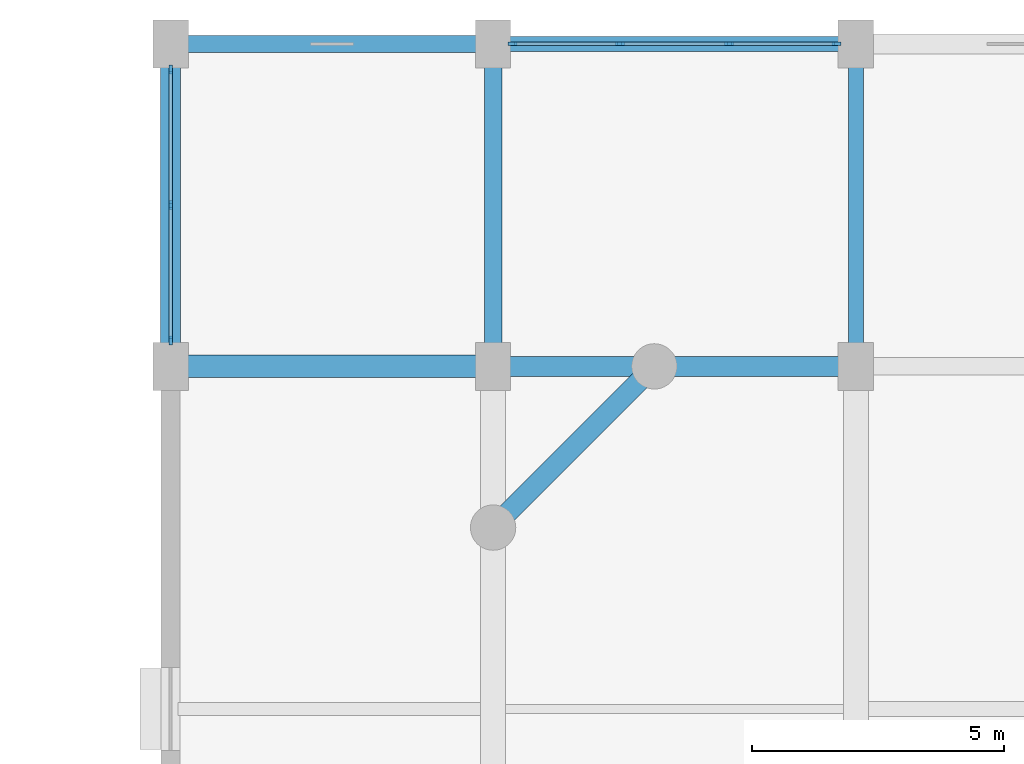
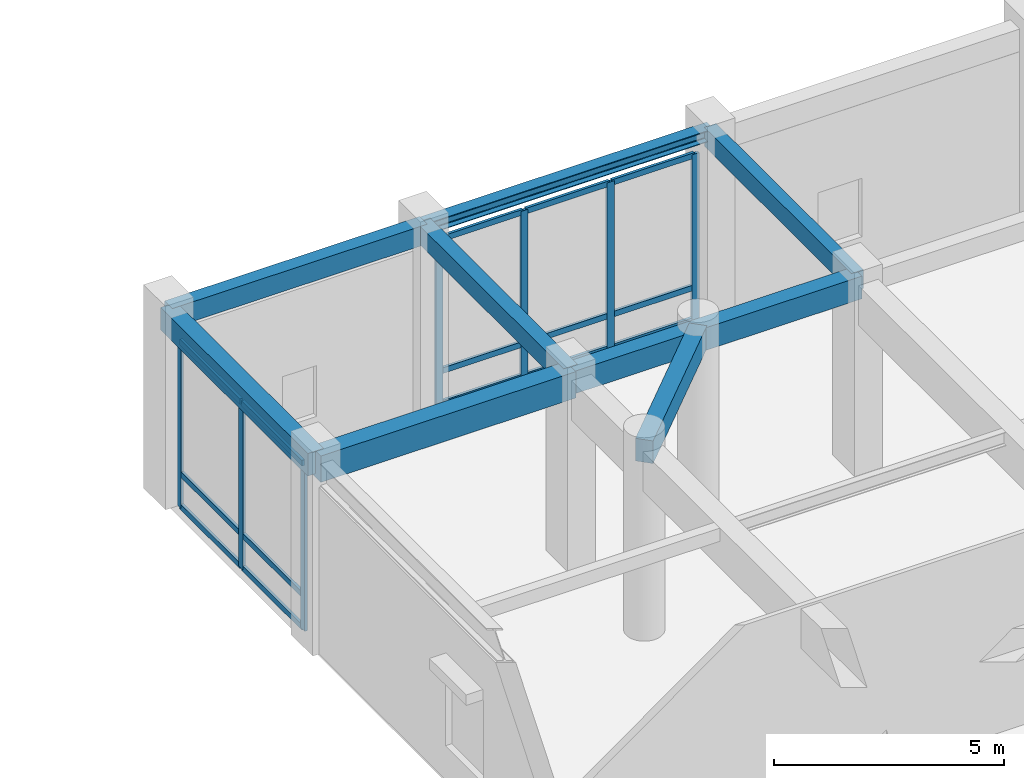
# One storey, part 12 of 36: 22 members, 8 beams, 2 elements without a shape of their own.
"""IFC4 building model written with IfcOpenShell, lengths in metres."""

import ifcopenshell
import ifcopenshell.guid

model = None  # the IFC model being written
_history = None  # IfcOwnerHistory: only IFC2X3 demands one
_inside = {}  # id of a spatial element -> (the spatial element, [elements in it])
_under = {}  # id of a project, library or spatial element -> (it, [spatial elements below it])
_declared = {}  # id of a project -> (the project, [libraries it declares])
_typed = {}  # id of a type object -> (the type object, [elements of that type])
_made_of = {}  # id of a material, layer set ... -> (it, [elements and type objects made of it])


def new_model(schema):
    """Start an empty IFC model of exactly this schema.

    Asked for "IFC4X3", IfcOpenShell would pick the latest addendum, in which some entities
    have other attributes; the version numbers below select the first issue.
    IFC2X3 requires an IfcOwnerHistory on every rooted entity: one is made here for all.
    """
    global model, _history
    if schema == "IFC4X3":
        model = ifcopenshell.file(schema_version=(4, 3, 0, 0))
    else:
        model = ifcopenshell.file(schema=schema)
    _inside.clear()
    _under.clear()
    _declared.clear()
    _typed.clear()
    _made_of.clear()
    _history = None
    if model.schema == "IFC2X3":
        org = make("IfcOrganization", Name="unknown")
        user = make(
            "IfcPersonAndOrganization",
            ThePerson=make("IfcPerson", FamilyName="unknown"),
            TheOrganization=org,
        )
        app = make(
            "IfcApplication",
            ApplicationDeveloper=org,
            Version="unknown",
            ApplicationFullName="unknown",
            ApplicationIdentifier="unknown",
        )
        _history = make(
            "IfcOwnerHistory",
            OwningUser=user,
            OwningApplication=app,
            ChangeAction="ADDED",
            CreationDate=0,
        )
    return model


def make(cls, **values):
    """One entity of the class cls with the attributes given. An attribute that is None is left unset."""
    return model.create_entity(
        cls, **{name: value for name, value in values.items() if value is not None}
    )


def rooted(cls, **values):
    """An entity with a GlobalId (a new one), such as an element, a storey or a relation."""
    return make(cls, GlobalId=ifcopenshell.guid.new(), OwnerHistory=_history, **values)


def si_unit(unit_type, name, prefix=None):
    """IfcSIUnit, for example si_unit("LENGTHUNIT", "METRE", prefix="MILLI")."""
    return make("IfcSIUnit", UnitType=unit_type, Prefix=prefix, Name=name)


def assignment(units):
    """IfcUnitAssignment: the units of a project."""
    return None if units is None else make("IfcUnitAssignment", Units=units)


def point(xyz):
    """IfcCartesianPoint."""
    return None if xyz is None else make("IfcCartesianPoint", Coordinates=xyz)


def direction(xyz):
    """IfcDirection."""
    return None if xyz is None else make("IfcDirection", DirectionRatios=xyz)


def frame(location, z_axis=None, x_axis=None):
    """IfcAxis2Placement3D, a coordinate frame: its origin and axes. An axis left out is left unset."""
    return make(
        "IfcAxis2Placement3D",
        Location=point(location),
        Axis=direction(z_axis),
        RefDirection=direction(x_axis),
    )


def frame_2d(location, x_axis=None):
    """IfcAxis2Placement2D, a coordinate frame in the plane: its origin and x axis."""
    return make(
        "IfcAxis2Placement2D", Location=point(location), RefDirection=direction(x_axis)
    )


def origin():
    """The frame at (0, 0, 0) with its axes left unset."""
    return frame((0.0, 0.0, 0.0))


def origin_2d():
    """The frame at (0, 0) in the plane with its x axis left unset."""
    return frame_2d((0.0, 0.0))


def place(relative_to, where):
    """IfcLocalPlacement: puts the frame where relative to a parent placement (None: the world)."""
    return make(
        "IfcLocalPlacement", PlacementRelTo=relative_to, RelativePlacement=where
    )


def context(
    kind, dimensions, precision=None, world=None, true_north=None, identifier=None
):
    """IfcGeometricRepresentationContext, for example the 3D "Model" context."""
    return make(
        "IfcGeometricRepresentationContext",
        ContextIdentifier=identifier,
        ContextType=kind,
        CoordinateSpaceDimension=dimensions,
        Precision=precision,
        WorldCoordinateSystem=world,
        TrueNorth=true_north,
    )


def subcontext(parent, identifier, kind, view, scale=None):
    """IfcGeometricRepresentationSubContext, for example "Body" below "Model"."""
    return make(
        "IfcGeometricRepresentationSubContext",
        ContextIdentifier=identifier,
        ContextType=kind,
        ParentContext=parent,
        TargetScale=scale,
        TargetView=view,
    )


def project(units=None, contexts=None):
    """IfcProject with its units and contexts."""
    return rooted(
        "IfcProject",
        Name="project",
        RepresentationContexts=contexts,
        UnitsInContext=assignment(units),
    )


def spatial(cls, under=None, at=None, **own):
    """A site, building, storey or space (cls), placed at a placement, below another one or the project."""
    s = rooted(cls, ObjectPlacement=at, **own)
    if under is not None:
        _under.setdefault(under.id(), (under, []))[1].append(s)
    return s


def profile(cls, at=None, kind="AREA", **sizes):
    """A parametric profile (cls). Its sizes go by their IFC names, for example OverallWidth=200.0."""
    return make(cls, ProfileType=kind, Position=at, **sizes)


def rectangle(**sizes):
    """IfcRectangleProfileDef."""
    return profile("IfcRectangleProfileDef", **sizes)


def i_section(**sizes):
    """IfcIShapeProfileDef."""
    return profile("IfcIShapeProfileDef", **sizes)


def extrude(swept, where, along, depth):
    """IfcExtrudedAreaSolid: the profile swept, set in the frame where, extruded along a direction by depth."""
    return make(
        "IfcExtrudedAreaSolid",
        SweptArea=swept,
        Position=where,
        ExtrudedDirection=direction(along),
        Depth=depth,
    )


def shape(context_of_items, identifier, shape_type, items):
    """IfcShapeRepresentation: the items that make up one representation, for example the "Body"."""
    return make(
        "IfcShapeRepresentation",
        ContextOfItems=context_of_items,
        RepresentationIdentifier=identifier,
        RepresentationType=shape_type,
        Items=items,
    )


def material(Name=None, Category=None):
    """IfcMaterial."""
    return make("IfcMaterial", Name=Name, Category=Category)


def material_profile(
    of_material, cross_section, Name=None, Category=None, Priority=None
):
    """IfcMaterialProfile: a cross section and its material."""
    return make(
        "IfcMaterialProfile",
        Name=Name,
        Material=of_material,
        Profile=cross_section,
        Priority=Priority,
        Category=Category,
    )


def profile_set(profiles, Name=None, composite=None):
    """IfcMaterialProfileSet."""
    return make(
        "IfcMaterialProfileSet",
        Name=Name,
        MaterialProfiles=profiles,
        CompositeProfile=composite,
    )


def made_of(thing, what):
    """Note that an element or type object is made of a material, layer set ...; save() writes the relation."""
    if what is not None:
        _made_of.setdefault(what.id(), (what, []))[1].append(thing)
    return thing


def type_object(cls, material=None, **own):
    """A type object (cls), such as IfcWallType, which elements share."""
    return made_of(rooted(cls, **own), material)


def element(
    cls,
    number,
    at=None,
    inside=None,
    cuts=None,
    type_object=None,
    material=None,
    context=None,
    identifier="Body",
    shape_type=None,
    held_by="IfcProductDefinitionShape",
    body=None,
    shapes=None,
    **own,
):
    """One element of the class cls, such as IfcWall. Its Tag is "e" and its number.

    at: its placement. inside: the storey or other place that contains it. cuts: it is an
    opening in that element (IfcRelVoidsElement). A single representation is given by context,
    identifier, shape_type and body (its items); several are given by shapes. held_by: the class
    of the entity that holds the representations. save() writes the other relations.
    """
    e = rooted(cls, Tag="e%d" % number, ObjectPlacement=at, **own)
    if body is not None:
        shapes = [shape(context, identifier, shape_type, body)]
    if shapes is not None:
        e.Representation = make(held_by, Representations=shapes)
    if inside is not None:
        _inside.setdefault(inside.id(), (inside, []))[1].append(e)
    if cuts is not None:
        rooted(
            "IfcRelVoidsElement", RelatingBuildingElement=cuts, RelatedOpeningElement=e
        )
    if type_object is not None:
        _typed.setdefault(type_object.id(), (type_object, []))[1].append(e)
    return made_of(e, material)


def aggregate(whole, parts):
    """IfcRelAggregates: a whole, such as a stair, and the parts it consists of."""
    return rooted("IfcRelAggregates", RelatingObject=whole, RelatedObjects=parts)


def save(model, path):
    """Write the relations noted so far, then the file.

    IfcRelAggregates (storeys below a building ...), IfcRelContainedInSpatialStructure (elements
    in a storey), IfcRelDefinesByType, IfcRelAssociatesMaterial and IfcRelDeclares: one each for
    every whole, place, type object, material and project.
    """
    for whole, parts in _under.values():
        aggregate(whole, parts)
    for where, things in _inside.values():
        rooted(
            "IfcRelContainedInSpatialStructure",
            RelatedElements=things,
            RelatingStructure=where,
        )
    for kind, things in _typed.values():
        rooted("IfcRelDefinesByType", RelatedObjects=things, RelatingType=kind)
    for what, things in _made_of.values():
        rooted("IfcRelAssociatesMaterial", RelatedObjects=things, RelatingMaterial=what)
    for by, libraries in _declared.values():
        rooted("IfcRelDeclares", RelatingContext=by, RelatedDefinitions=libraries)
    model.write(path)


model = new_model("IFC4")

# Units and contexts
model_context = context("Model", 3, precision=1e-05, world=origin(), true_north=direction((0.0, 1.0)))
body_context = subcontext(model_context, "Body", "Model", "MODEL_VIEW")
ifc_project = project(units=[si_unit("LENGTHUNIT", "METRE"), si_unit("AREAUNIT", "SQUARE_METRE"), si_unit("VOLUMEUNIT", "CUBIC_METRE"), si_unit("PLANEANGLEUNIT", "RADIAN"), si_unit("MASSUNIT", "GRAM", prefix="KILO")], contexts=[model_context])

# Site, building, storey
site_placement = place(None, origin())
site = spatial("IfcSite", under=ifc_project, at=site_placement, CompositionType="ELEMENT")
building_placement = place(site_placement, origin())
building = spatial("IfcBuilding", under=site, at=building_placement, Name="Vellmiral Cinema and Media Centre", CompositionType="ELEMENT")
storey_placement = place(building_placement, frame((0.0, 0.0, 5.39990234375)))
storey = spatial("IfcBuildingStorey", under=building, at=storey_placement, Name="L01", CompositionType="ELEMENT", Elevation=5.39990234375)

# Beams
ifc_material_1 = material(Name="Concrete C40/50", Category="concrete")
ifc_material_profile_1 = material_profile(ifc_material_1, rectangle(XDim=0.300048828125, YDim=0.5, at=origin_2d()), Name="RC 300x500")
ifc_profile_set_1 = profile_set([ifc_material_profile_1], Name="Concrete C40/50")
beam_type_1 = type_object("IfcBeamType", Name="BM-RC-300x500", PredefinedType="BEAM", material=ifc_profile_set_1)
beam_1_placement = place(storey_placement, frame((124.0, 108.800048828125, 4.78515625), z_axis=(0.0, 1.0, 0.0), x_axis=(-1.0, 0.0, 0.0)))
element("IfcBeam", 1, at=beam_1_placement, inside=storey, type_object=beam_type_1, Name="Grid Beam L01-Y303", PredefinedType="BEAM", context=body_context, shape_type="SweptSolid", body=[
    extrude(rectangle(XDim=0.300048828125, YDim=0.5, at=origin_2d()), origin(), (0.0, 0.0, 1.0), 6.39990234375),
])
ifc_material_2 = material(Name="Concrete C40/50", Category="concrete")
ifc_material_profile_2 = material_profile(ifc_material_2, rectangle(XDim=0.35009765625, YDim=0.5, at=origin_2d()), Name="RC 350x500")
ifc_profile_set_2 = profile_set([ifc_material_profile_2], Name="Concrete C40/50")
beam_type_2 = type_object("IfcBeamType", Name="BM-RC-350x500", PredefinedType="BEAM", material=ifc_profile_set_2)
beam_2_placement = place(storey_placement, frame((116.800048828125, 108.800048828125, 4.78515625), z_axis=(0.0, 1.0, 0.0), x_axis=(-1.0, 0.0, 0.0)))
element("IfcBeam", 2, at=beam_2_placement, inside=storey, type_object=beam_type_2, Name="Grid Beam L01-Y291", PredefinedType="BEAM", context=body_context, shape_type="SweptSolid", body=[
    extrude(rectangle(XDim=0.35009765625, YDim=0.5, at=origin_2d()), origin(), (0.0, 0.0, 1.0), 6.39990234375),
])
ifc_material_3 = material(Name="Concrete C40/50", Category="concrete")
ifc_material_profile_3 = material_profile(ifc_material_3, rectangle(XDim=0.39990234375, YDim=0.60009765625, at=origin_2d()), Name="RC 400x600")
ifc_profile_set_3 = profile_set([ifc_material_profile_3], Name="Concrete C40/50")
beam_type_3 = type_object("IfcBeamType", Name="BM-RC-400x600", PredefinedType="BEAM", material=ifc_profile_set_3)
beam_3_placement = place(storey_placement, frame((116.800048828125, 108.800048828125, 4.735107421875), z_axis=(1.0, 0.0, 0.0), x_axis=(0.0, 1.0, 0.0)))
element("IfcBeam", 3, at=beam_3_placement, inside=storey, type_object=beam_type_3, Name="Grid Beam L01-X166", PredefinedType="BEAM", context=body_context, shape_type="SweptSolid", body=[
    extrude(rectangle(XDim=0.39990234375, YDim=0.60009765625, at=origin_2d()), origin(), (0.0, 0.0, 1.0), 7.199951171875),
])
ifc_material_4 = material(Name="Concrete C40/50", Category="concrete")
ifc_material_profile_4 = material_profile(ifc_material_4, rectangle(XDim=0.449951171875, YDim=0.699951171875, at=origin_2d()), Name="RC 450x700")
ifc_profile_set_4 = profile_set([ifc_material_profile_4], Name="Concrete C40/50")
beam_type_4 = type_object("IfcBeamType", Name="BM-RC-450x700", PredefinedType="BEAM", material=ifc_profile_set_4)
beam_4_placement = place(storey_placement, frame((110.39990234375, 108.800048828125, 4.68505859375), z_axis=(1.0, 0.0, 0.0), x_axis=(0.0, 1.0, 0.0)))
element("IfcBeam", 4, at=beam_4_placement, inside=storey, type_object=beam_type_4, Name="Grid Beam L01-X165", PredefinedType="BEAM", context=body_context, shape_type="SweptSolid", body=[
    extrude(rectangle(XDim=0.449951171875, YDim=0.699951171875, at=origin_2d()), origin(), (0.0, 0.0, 1.0), 6.400146484375),
])

# Curtain wall, members
ifc_material_5 = material(Name="Thermally Broken Aluminium and Triple Glazing", Category="aluminium")
curtain_wall_type = type_object("IfcCurtainWallType", Name="CW-LIB-BAY", PredefinedType="USERDEFINED", material=ifc_material_5)
curtain_wall_1_placement = place(storey_placement, origin())
curtain_wall_1 = element("IfcCurtainWall", 5, at=curtain_wall_1_placement, inside=storey, type_object=curtain_wall_type, Name="Curtain Wall L01-B050", ObjectType="STICK CURTAIN WALL", PredefinedType="USERDEFINED")
ifc_material_6 = material(Name="Thermally Broken Anodised Aluminium", Category="aluminium")
ifc_material_profile_5 = material_profile(ifc_material_6, rectangle(XDim=0.070068359375, YDim=0.179931640625, at=origin_2d()), Name="MULL 70x180")
ifc_profile_set_5 = profile_set([ifc_material_profile_5], Name="Thermally Broken Anodised Aluminium")
member_type_1 = type_object("IfcMemberType", Name="CWM-70x180", PredefinedType="MULLION", material=ifc_profile_set_5)
member_1_placement = place(storey_placement, frame((123.614990234375, 115.199951171875, 0.0), z_axis=(0.0, 0.0, 1.0), x_axis=(0.0, -1.0, 0.0)))
member_1 = element("IfcMember", 6, at=member_1_placement, type_object=member_type_1, Name="CW-03 mullion 1", PredefinedType="MULLION", context=body_context, shape_type="SweptSolid", body=[
    extrude(rectangle(XDim=0.070068359375, YDim=0.179931640625, at=origin_2d()), origin(), (0.0, 0.0, 1.0), 4.440185546875),
])
member_2_placement = place(storey_placement, frame((121.4833984375, 115.199951171875, 0.0), z_axis=(0.0, 0.0, 1.0), x_axis=(0.0, -1.0, 0.0)))
member_2 = element("IfcMember", 7, at=member_2_placement, type_object=member_type_1, Name="CW-03 mullion 2", PredefinedType="MULLION", context=body_context, shape_type="SweptSolid", body=[
    extrude(rectangle(XDim=0.070068359375, YDim=0.179931640625, at=origin_2d()), origin(), (0.0, 0.0, 1.0), 4.440185546875),
])
member_3_placement = place(storey_placement, frame((119.316650390625, 115.199951171875, 0.0), z_axis=(0.0, 0.0, 1.0), x_axis=(0.0, -1.0, 0.0)))
member_3 = element("IfcMember", 8, at=member_3_placement, type_object=member_type_1, Name="CW-03 mullion 3", PredefinedType="MULLION", context=body_context, shape_type="SweptSolid", body=[
    extrude(rectangle(XDim=0.070068359375, YDim=0.179931640625, at=origin_2d()), origin(), (0.0, 0.0, 1.0), 4.440185546875),
])
member_4_placement = place(storey_placement, frame((117.18505859375, 115.199951171875, 0.0), z_axis=(0.0, 0.0, 1.0), x_axis=(0.0, -1.0, 0.0)))
member_4 = element("IfcMember", 9, at=member_4_placement, type_object=member_type_1, Name="CW-03 mullion 4", PredefinedType="MULLION", context=body_context, shape_type="SweptSolid", body=[
    extrude(rectangle(XDim=0.070068359375, YDim=0.179931640625, at=origin_2d()), origin(), (0.0, 0.0, 1.0), 4.440185546875),
])

curtain_wall_2_placement = place(storey_placement, origin())
curtain_wall_2 = element("IfcCurtainWall", 10, at=curtain_wall_2_placement, inside=storey, type_object=curtain_wall_type, Name="Curtain Wall L01-B052", ObjectType="STICK CURTAIN WALL", PredefinedType="USERDEFINED")
member_5_placement = place(storey_placement, frame((110.39990234375, 114.68994140625, 0.0), z_axis=(0.0, 0.0, 1.0), x_axis=(1.0, 0.0, 0.0)))
member_5 = element("IfcMember", 11, at=member_5_placement, type_object=member_type_1, Name="CW-03 mullion 1", PredefinedType="MULLION", context=body_context, shape_type="SweptSolid", body=[
    extrude(rectangle(XDim=0.070068359375, YDim=0.179931640625, at=origin_2d()), origin(), (0.0, 0.0, 1.0), 4.425048828125),
])
member_6_placement = place(storey_placement, frame((110.39990234375, 112.0, 0.0), z_axis=(0.0, 0.0, 1.0), x_axis=(1.0, 0.0, 0.0)))
member_6 = element("IfcMember", 12, at=member_6_placement, type_object=member_type_1, Name="CW-03 mullion 2", PredefinedType="MULLION", context=body_context, shape_type="SweptSolid", body=[
    extrude(rectangle(XDim=0.070068359375, YDim=0.179931640625, at=origin_2d()), origin(), (0.0, 0.0, 1.0), 4.425048828125),
])
member_7_placement = place(storey_placement, frame((110.39990234375, 109.31005859375, 0.0), z_axis=(0.0, 0.0, 1.0), x_axis=(1.0, 0.0, 0.0)))
member_7 = element("IfcMember", 13, at=member_7_placement, type_object=member_type_1, Name="CW-03 mullion 3", PredefinedType="MULLION", context=body_context, shape_type="SweptSolid", body=[
    extrude(rectangle(XDim=0.070068359375, YDim=0.179931640625, at=origin_2d()), origin(), (0.0, 0.0, 1.0), 4.425048828125),
])

# Member
ifc_material_7 = material(Name="Thermally Broken Anodised Aluminium", Category="aluminium")
ifc_material_profile_6 = material_profile(ifc_material_7, rectangle(XDim=0.070068359375, YDim=0.14990234375, at=origin_2d()), Name="MULL 70x150")
ifc_profile_set_6 = profile_set([ifc_material_profile_6], Name="Thermally Broken Anodised Aluminium")
member_type_2 = type_object("IfcMemberType", Name="CWT-70x150", PredefinedType="USERDEFINED", material=ifc_profile_set_6)
member_8_placement = place(storey_placement, frame((123.580078125, 115.199951171875, 0.03515625), z_axis=(-1.0, 0.0, 0.0), x_axis=(0.0, -1.0, 0.0)))
member_8 = element("IfcMember", 14, at=member_8_placement, type_object=member_type_2, Name="CW-03 transom 1.1", ObjectType="TRANSOM", PredefinedType="USERDEFINED", context=body_context, shape_type="SweptSolid", body=[
    extrude(rectangle(XDim=0.070068359375, YDim=0.14990234375, at=origin_2d()), origin(), (0.0, 0.0, 1.0), 2.061767578125),
])

member_9_placement = place(storey_placement, frame((123.580078125, 115.199951171875, 0.900146484375), z_axis=(-1.0, 0.0, 0.0), x_axis=(0.0, -1.0, 0.0)))
member_9 = element("IfcMember", 15, at=member_9_placement, type_object=member_type_2, Name="CW-03 transom 1.2", ObjectType="TRANSOM", PredefinedType="USERDEFINED", context=body_context, shape_type="SweptSolid", body=[
    extrude(rectangle(XDim=0.070068359375, YDim=0.14990234375, at=origin_2d()), origin(), (0.0, 0.0, 1.0), 2.061767578125),
])

member_10_placement = place(storey_placement, frame((123.580078125, 115.199951171875, 4.405029296875), z_axis=(-1.0, 0.0, 0.0), x_axis=(0.0, -1.0, 0.0)))
member_10 = element("IfcMember", 16, at=member_10_placement, type_object=member_type_2, Name="CW-03 transom 1.3", ObjectType="TRANSOM", PredefinedType="USERDEFINED", context=body_context, shape_type="SweptSolid", body=[
    extrude(rectangle(XDim=0.070068359375, YDim=0.14990234375, at=origin_2d()), origin(), (0.0, 0.0, 1.0), 2.061767578125),
])

member_11_placement = place(storey_placement, frame((121.4482421875, 115.199951171875, 0.03515625), z_axis=(-1.0, 0.0, 0.0), x_axis=(0.0, -1.0, 0.0)))
member_11 = element("IfcMember", 17, at=member_11_placement, type_object=member_type_2, Name="CW-03 transom 2.1", ObjectType="TRANSOM", PredefinedType="USERDEFINED", context=body_context, shape_type="SweptSolid", body=[
    extrude(rectangle(XDim=0.070068359375, YDim=0.14990234375, at=origin_2d()), origin(), (0.0, 0.0, 1.0), 2.0966796875),
])

member_12_placement = place(storey_placement, frame((121.4482421875, 115.199951171875, 0.900146484375), z_axis=(-1.0, 0.0, 0.0), x_axis=(0.0, -1.0, 0.0)))
member_12 = element("IfcMember", 18, at=member_12_placement, type_object=member_type_2, Name="CW-03 transom 2.2", ObjectType="TRANSOM", PredefinedType="USERDEFINED", context=body_context, shape_type="SweptSolid", body=[
    extrude(rectangle(XDim=0.070068359375, YDim=0.14990234375, at=origin_2d()), origin(), (0.0, 0.0, 1.0), 2.0966796875),
])

member_13_placement = place(storey_placement, frame((121.4482421875, 115.199951171875, 4.405029296875), z_axis=(-1.0, 0.0, 0.0), x_axis=(0.0, -1.0, 0.0)))
member_13 = element("IfcMember", 19, at=member_13_placement, type_object=member_type_2, Name="CW-03 transom 2.3", ObjectType="TRANSOM", PredefinedType="USERDEFINED", context=body_context, shape_type="SweptSolid", body=[
    extrude(rectangle(XDim=0.070068359375, YDim=0.14990234375, at=origin_2d()), origin(), (0.0, 0.0, 1.0), 2.0966796875),
])

member_14_placement = place(storey_placement, frame((119.28173828125, 115.199951171875, 0.03515625), z_axis=(-1.0, 0.0, 0.0), x_axis=(0.0, -1.0, 0.0)))
member_14 = element("IfcMember", 20, at=member_14_placement, type_object=member_type_2, Name="CW-03 transom 3.1", ObjectType="TRANSOM", PredefinedType="USERDEFINED", context=body_context, shape_type="SweptSolid", body=[
    extrude(rectangle(XDim=0.070068359375, YDim=0.14990234375, at=origin_2d()), origin(), (0.0, 0.0, 1.0), 2.061767578125),
])

member_15_placement = place(storey_placement, frame((119.28173828125, 115.199951171875, 0.900146484375), z_axis=(-1.0, 0.0, 0.0), x_axis=(0.0, -1.0, 0.0)))
member_15 = element("IfcMember", 21, at=member_15_placement, type_object=member_type_2, Name="CW-03 transom 3.2", ObjectType="TRANSOM", PredefinedType="USERDEFINED", context=body_context, shape_type="SweptSolid", body=[
    extrude(rectangle(XDim=0.070068359375, YDim=0.14990234375, at=origin_2d()), origin(), (0.0, 0.0, 1.0), 2.061767578125),
])

member_16_placement = place(storey_placement, frame((119.28173828125, 115.199951171875, 4.405029296875), z_axis=(-1.0, 0.0, 0.0), x_axis=(0.0, -1.0, 0.0)))
member_16 = element("IfcMember", 22, at=member_16_placement, type_object=member_type_2, Name="CW-03 transom 3.3", ObjectType="TRANSOM", PredefinedType="USERDEFINED", context=body_context, shape_type="SweptSolid", body=[
    extrude(rectangle(XDim=0.070068359375, YDim=0.14990234375, at=origin_2d()), origin(), (0.0, 0.0, 1.0), 2.061767578125),
])

aggregate(curtain_wall_1, [member_1, member_2, member_3, member_4, member_8, member_9, member_10, member_11, member_12, member_13, member_14, member_15, member_16])

member_17_placement = place(storey_placement, frame((110.39990234375, 114.655029296875, 0.03515625), z_axis=(0.0, -1.0, 0.0), x_axis=(1.0, 0.0, 0.0)))
member_17 = element("IfcMember", 23, at=member_17_placement, type_object=member_type_2, Name="CW-03 transom 1.1", ObjectType="TRANSOM", PredefinedType="USERDEFINED", context=body_context, shape_type="SweptSolid", body=[
    extrude(rectangle(XDim=0.070068359375, YDim=0.14990234375, at=origin_2d()), origin(), (0.0, 0.0, 1.0), 2.6201171875),
])

member_18_placement = place(storey_placement, frame((110.39990234375, 114.655029296875, 0.900146484375), z_axis=(0.0, -1.0, 0.0), x_axis=(1.0, 0.0, 0.0)))
member_18 = element("IfcMember", 24, at=member_18_placement, type_object=member_type_2, Name="CW-03 transom 1.2", ObjectType="TRANSOM", PredefinedType="USERDEFINED", context=body_context, shape_type="SweptSolid", body=[
    extrude(rectangle(XDim=0.070068359375, YDim=0.14990234375, at=origin_2d()), origin(), (0.0, 0.0, 1.0), 2.6201171875),
])

member_19_placement = place(storey_placement, frame((110.39990234375, 114.655029296875, 4.39013671875), z_axis=(0.0, -1.0, 0.0), x_axis=(1.0, 0.0, 0.0)))
member_19 = element("IfcMember", 25, at=member_19_placement, type_object=member_type_2, Name="CW-03 transom 1.3", ObjectType="TRANSOM", PredefinedType="USERDEFINED", context=body_context, shape_type="SweptSolid", body=[
    extrude(rectangle(XDim=0.070068359375, YDim=0.14990234375, at=origin_2d()), origin(), (0.0, 0.0, 1.0), 2.6201171875),
])

member_20_placement = place(storey_placement, frame((110.39990234375, 111.965087890625, 0.03515625), z_axis=(0.0, -1.0, 0.0), x_axis=(1.0, 0.0, 0.0)))
member_20 = element("IfcMember", 26, at=member_20_placement, type_object=member_type_2, Name="CW-03 transom 2.1", ObjectType="TRANSOM", PredefinedType="USERDEFINED", context=body_context, shape_type="SweptSolid", body=[
    extrude(rectangle(XDim=0.070068359375, YDim=0.14990234375, at=origin_2d()), origin(), (0.0, 0.0, 1.0), 2.6201171875),
])

member_21_placement = place(storey_placement, frame((110.39990234375, 111.965087890625, 0.900146484375), z_axis=(0.0, -1.0, 0.0), x_axis=(1.0, 0.0, 0.0)))
member_21 = element("IfcMember", 27, at=member_21_placement, type_object=member_type_2, Name="CW-03 transom 2.2", ObjectType="TRANSOM", PredefinedType="USERDEFINED", context=body_context, shape_type="SweptSolid", body=[
    extrude(rectangle(XDim=0.070068359375, YDim=0.14990234375, at=origin_2d()), origin(), (0.0, 0.0, 1.0), 2.6201171875),
])

member_22_placement = place(storey_placement, frame((110.39990234375, 111.965087890625, 4.39013671875), z_axis=(0.0, -1.0, 0.0), x_axis=(1.0, 0.0, 0.0)))
member_22 = element("IfcMember", 28, at=member_22_placement, type_object=member_type_2, Name="CW-03 transom 2.3", ObjectType="TRANSOM", PredefinedType="USERDEFINED", context=body_context, shape_type="SweptSolid", body=[
    extrude(rectangle(XDim=0.070068359375, YDim=0.14990234375, at=origin_2d()), origin(), (0.0, 0.0, 1.0), 2.6201171875),
])

aggregate(curtain_wall_2, [member_5, member_6, member_7, member_17, member_18, member_19, member_20, member_21, member_22])

# Beams
ifc_material_8 = material(Name="Steel S355", Category="steel")
ifc_material_profile_7 = material_profile(ifc_material_8, i_section(OverallWidth=0.300048828125, OverallDepth=0.300048828125, WebThickness=0.010986328125, FlangeThickness=0.01904296875, FilletRadius=0.027099609375, at=origin_2d()), Name="HEB 300")
ifc_profile_set_7 = profile_set([ifc_material_profile_7], Name="Steel S355")
beam_type_5 = type_object("IfcBeamType", Name="SBM-HEB300", PredefinedType="SPANDREL", material=ifc_profile_set_7)
beam_5_placement = place(storey_placement, frame((116.800048828125, 115.199951171875, 4.885009765625), z_axis=(1.0, 0.0, 0.0), x_axis=(0.0, 1.0, 0.0)))
element("IfcBeam", 29, at=beam_5_placement, inside=storey, type_object=beam_type_5, Name="Grid Beam L01-X173", PredefinedType="SPANDREL", context=body_context, shape_type="SweptSolid", body=[
    extrude(i_section(OverallWidth=0.300048828125, OverallDepth=0.300048828125, WebThickness=0.010986328125, FlangeThickness=0.01904296875, FilletRadius=0.027099609375, at=origin_2d()), origin(), (0.0, 0.0, 1.0), 7.199951171875),
])
ifc_material_9 = material(Name="Concrete C40/50", Category="concrete")
ifc_material_profile_8 = material_profile(ifc_material_9, rectangle(XDim=0.39990234375, YDim=0.60009765625, at=origin_2d()), Name="RC 400x600")
ifc_profile_set_8 = profile_set([ifc_material_profile_8], Name="Concrete C40/50")
beam_type_6 = type_object("IfcBeamType", Name="SPD-RC-400x600", PredefinedType="SPANDREL", material=ifc_profile_set_8)
beam_6_placement = place(storey_placement, frame((110.39990234375, 108.800048828125, 4.735107421875), z_axis=(0.0, 1.0, 0.0), x_axis=(-1.0, 0.0, 0.0)))
element("IfcBeam", 30, at=beam_6_placement, inside=storey, type_object=beam_type_6, Name="Grid Beam L01-Y279", PredefinedType="SPANDREL", context=body_context, shape_type="SweptSolid", body=[
    extrude(rectangle(XDim=0.39990234375, YDim=0.60009765625, at=origin_2d()), origin(), (0.0, 0.0, 1.0), 6.39990234375),
])
beam_7_placement = place(storey_placement, frame((116.800048828125, 105.60009765625, 4.735107421875), z_axis=(0.707106781187, 0.707106781187, 0.0), x_axis=(-0.707106781187, 0.707106781187, 0.0)))
element("IfcBeam", 31, at=beam_7_placement, inside=storey, type_object=beam_type_6, Name="Xamfra Chamfer Spandrel Beam L01-350", PredefinedType="SPANDREL", context=body_context, shape_type="SweptSolid", body=[
    extrude(rectangle(XDim=0.39990234375, YDim=0.60009765625, at=origin_2d()), origin(), (0.0, 0.0, 1.0), 4.525390625),
])
ifc_material_10 = material(Name="Vosges Red Sandstone Masonry", Category="masonry")
ifc_material_profile_9 = material_profile(ifc_material_10, rectangle(XDim=0.340087890625, YDim=0.52001953125, at=origin_2d()), Name="SAND 340x520")
ifc_profile_set_9 = profile_set([ifc_material_profile_9], Name="Vosges Red Sandstone Masonry")
beam_type_7 = type_object("IfcBeamType", Name="SPD-SAND-340x520", PredefinedType="SPANDREL", material=ifc_profile_set_9)
beam_8_placement = place(storey_placement, frame((110.39990234375, 115.199951171875, 4.775146484375), z_axis=(1.0, 0.0, 0.0), x_axis=(0.0, 1.0, 0.0)))
element("IfcBeam", 32, at=beam_8_placement, inside=storey, type_object=beam_type_7, Name="Grid Beam L01-X172", PredefinedType="SPANDREL", context=body_context, shape_type="SweptSolid", body=[
    extrude(rectangle(XDim=0.340087890625, YDim=0.52001953125, at=origin_2d()), origin(), (0.0, 0.0, 1.0), 6.400146484375),
])

save(model, "model.ifc")
